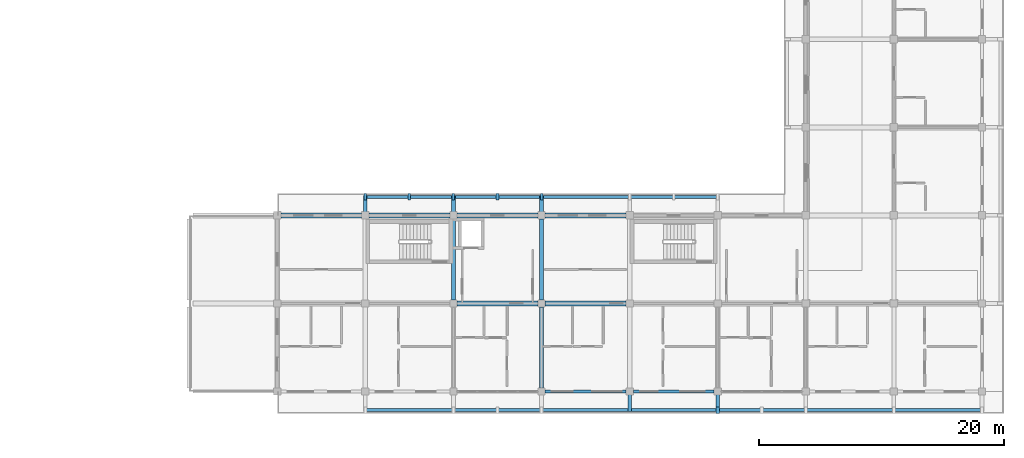
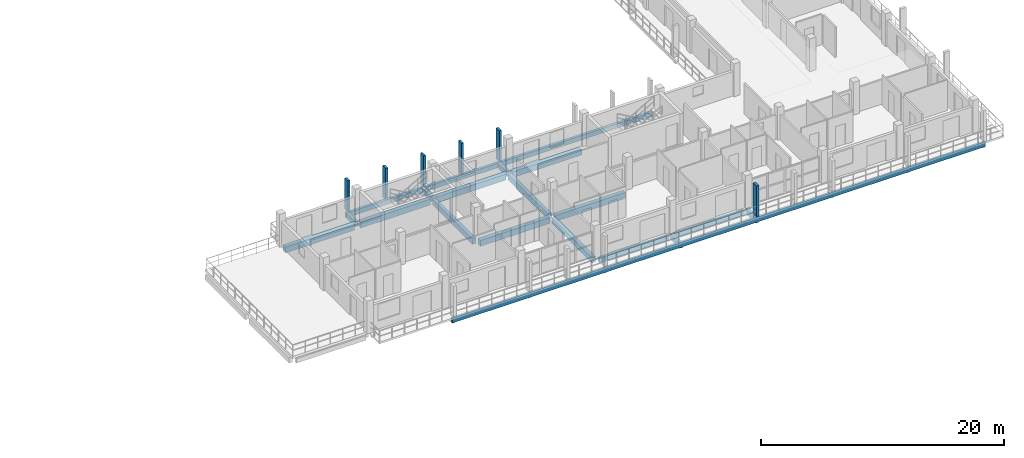
# One storey, part 24 of 75: 18 beams, 6 members.
"""IFC4 building model written with IfcOpenShell, lengths in metres."""

from ifc_helpers import new_model, si_unit, direction, frame, origin, origin_2d, place, context, subcontext, project, spatial, rectangle, extrude, material, material_profile, profile_set, type_object, element, save


model = new_model("IFC4")

# Units and contexts
model_context = context("Model", 3, precision=1e-05, world=origin(), true_north=direction((0.0, 1.0)))
body_context = subcontext(model_context, "Body", "Model", "MODEL_VIEW")
ifc_project = project(units=[si_unit("LENGTHUNIT", "METRE"), si_unit("AREAUNIT", "SQUARE_METRE"), si_unit("VOLUMEUNIT", "CUBIC_METRE"), si_unit("PLANEANGLEUNIT", "RADIAN"), si_unit("MASSUNIT", "GRAM", prefix="KILO")], contexts=[model_context])

# Site, building, storey
site_placement = place(None, origin())
site = spatial("IfcSite", under=ifc_project, at=site_placement, CompositionType="ELEMENT")
building_placement = place(site_placement, origin())
building = spatial("IfcBuilding", under=site, at=building_placement, Name="Suanplinth Sawtooth Commons", CompositionType="ELEMENT")
storey_placement = place(building_placement, frame((0.0, 0.0, 18.60009765625)))
storey = spatial("IfcBuildingStorey", under=building, at=storey_placement, Name="L05", CompositionType="ELEMENT", Elevation=18.60009765625)

# Beams
ifc_material_1 = material(Name="Precast concrete C40/50", Category="concrete")
ifc_material_profile_1 = material_profile(ifc_material_1, rectangle(XDim=0.39990234375, YDim=0.60009765625, at=origin_2d()), Name="PC-GDR 400x600")
ifc_profile_set_1 = profile_set([ifc_material_profile_1], Name="Precast concrete C40/50")
beam_type_1 = type_object("IfcBeamType", Name="B-05", PredefinedType="USERDEFINED", material=ifc_profile_set_1)
beam_1_placement = place(storey_placement, frame((129.89990234375, 14.39990234375, -0.550048828125), z_axis=(1.0, 0.0, 0.0), x_axis=(0.0, 1.0, 0.0)))
element("IfcBeam", 1, at=beam_1_placement, inside=storey, type_object=beam_type_1, Name="BMX-L05-C-18-2", ObjectType="GIRDER", PredefinedType="USERDEFINED", context=body_context, shape_type="SweptSolid", body=[
    extrude(rectangle(XDim=0.39990234375, YDim=0.60009765625, at=origin_2d()), origin(), (0.0, 0.0, 1.0), 6.60009765625),
])
for number, where, z_axis, x_axis, name in (
    (2, (137.10009765625, 14.39990234375, -0.550048828125), (1.0, 0.0, 0.0), (0.0, 1.0, 0.0), "BMX-L05-C-19-2"),
    (3, (144.300048828125, 7.199951171875, -0.550048828125), (1.0, 0.0, 0.0), (0.0, 1.0, 0.0), "BMX-L05-C-20-1"),
    (4, (144.300048828125, 14.39990234375, -0.550048828125), (1.0, 0.0, 0.0), (0.0, 1.0, 0.0), "BMX-L05-C-20-2"),
):
    element("IfcBeam", number, at=place(storey_placement, frame(where, z_axis=z_axis, x_axis=x_axis)), inside=storey, type_object=beam_type_1, Name=name, ObjectType="GIRDER", PredefinedType="USERDEFINED", context=body_context, shape_type="SweptSolid", body=[
        extrude(rectangle(XDim=0.39990234375, YDim=0.60009765625, at=origin_2d()), origin(), (0.0, 0.0, 1.0), 6.599853515625),
    ])
for number, where, z_axis, x_axis, name in (
    (5, (151.5, 7.199951171875, -0.550048828125), (1.0, 0.0, 0.0), (0.0, 1.0, 0.0), "BMX-L05-C-21-1"),
    (6, (151.5, 14.39990234375, -0.550048828125), (1.0, 0.0, 0.0), (0.0, 1.0, 0.0), "BMX-L05-C-21-2"),
):
    element("IfcBeam", number, at=place(storey_placement, frame(where, z_axis=z_axis, x_axis=x_axis)), inside=storey, type_object=beam_type_1, Name=name, ObjectType="GIRDER", PredefinedType="USERDEFINED", context=body_context, shape_type="SweptSolid", body=[
        extrude(rectangle(XDim=0.39990234375, YDim=0.60009765625, at=origin_2d()), origin(), (0.0, 0.0, 1.0), 6.60009765625),
    ])
ifc_material_profile_2 = material_profile(ifc_material_1, rectangle(XDim=0.35009765625, YDim=0.550048828125, at=origin_2d()), Name="PC-BM 350x550")
ifc_profile_set_2 = profile_set([ifc_material_profile_2], Name="Precast concrete C40/50")
beam_type_2 = type_object("IfcBeamType", Name="B-06", PredefinedType="BEAM", material=ifc_profile_set_2)
beam_2_placement = place(storey_placement, frame((144.0, 7.5, -0.525146484375), z_axis=(0.0, 1.0, 0.0), x_axis=(-1.0, 0.0, 0.0)))
element("IfcBeam", 7, at=beam_2_placement, inside=storey, type_object=beam_type_2, Name="BMY-L05-C-20-1", PredefinedType="BEAM", context=body_context, shape_type="SweptSolid", body=[
    extrude(rectangle(XDim=0.35009765625, YDim=0.550048828125, at=origin_2d()), origin(), (0.0, 0.0, 1.0), 6.60009765625),
])
beam_3_placement = place(storey_placement, frame((151.199951171875, 0.300048828125, -0.525146484375), z_axis=(0.0, 1.0, 0.0), x_axis=(-1.0, 0.0, 0.0)))
element("IfcBeam", 8, at=beam_3_placement, inside=storey, type_object=beam_type_2, Name="BMY-L05-C-21-0", PredefinedType="BEAM", context=body_context, shape_type="SweptSolid", body=[
    extrude(rectangle(XDim=0.35009765625, YDim=0.550048828125, at=origin_2d()), origin(), (0.0, 0.0, 1.0), 6.599853515625),
])
beam_4_placement = place(storey_placement, frame((151.199951171875, 7.5, -0.525146484375), z_axis=(0.0, 1.0, 0.0), x_axis=(-1.0, 0.0, 0.0)))
element("IfcBeam", 9, at=beam_4_placement, inside=storey, type_object=beam_type_2, Name="BMY-L05-C-21-1", PredefinedType="BEAM", context=body_context, shape_type="SweptSolid", body=[
    extrude(rectangle(XDim=0.35009765625, YDim=0.550048828125, at=origin_2d()), origin(), (0.0, 0.0, 1.0), 6.60009765625),
])
ifc_material_profile_3 = material_profile(ifc_material_1, rectangle(XDim=0.300048828125, YDim=0.5, at=origin_2d()), Name="PC-BM 300x500")
ifc_profile_set_3 = profile_set([ifc_material_profile_3], Name="Precast concrete C40/50")
beam_type_3 = type_object("IfcBeamType", Name="B-07", PredefinedType="BEAM", material=ifc_profile_set_3)
for number, where, z_axis, x_axis, name in (
    (10, (158.39990234375, 0.0, -0.43017578125), (0.0, -1.0, 0.0), (1.0, 0.0, 0.0), "Balcony Outrigger L05-C-S-22"),
    (11, (165.60009765625, 0.0, -0.43017578125), (0.0, -1.0, 0.0), (1.0, 0.0, 0.0), "Balcony Outrigger L05-C-S-23"),
):
    element("IfcBeam", number, at=place(storey_placement, frame(where, z_axis=z_axis, x_axis=x_axis)), inside=storey, type_object=beam_type_3, Name=name, PredefinedType="BEAM", context=body_context, shape_type="SweptSolid", body=[
        extrude(rectangle(XDim=0.300048828125, YDim=0.5, at=origin_2d()), origin(), (0.0, 0.0, 1.0), 1.639892578125),
    ])
for number, where, z_axis, x_axis, name in (
    (12, (136.800048828125, 14.39990234375, -0.425048828125), (0.0, 1.0, 0.0), (-1.0, 0.0, 0.0), "Balcony Outrigger L05-C-NC-19"),
    (13, (144.0, 14.39990234375, -0.425048828125), (0.0, 1.0, 0.0), (-1.0, 0.0, 0.0), "Balcony Outrigger L05-C-NC-20"),
    (14, (151.199951171875, 14.39990234375, -0.425048828125), (0.0, 1.0, 0.0), (-1.0, 0.0, 0.0), "Balcony Outrigger L05-C-NC-21"),
):
    element("IfcBeam", number, at=place(storey_placement, frame(where, z_axis=z_axis, x_axis=x_axis)), inside=storey, type_object=beam_type_3, Name=name, PredefinedType="BEAM", context=body_context, shape_type="SweptSolid", body=[
        extrude(rectangle(XDim=0.300048828125, YDim=0.5, at=origin_2d()), origin(), (0.0, 0.0, 1.0), 1.64013671875),
    ])
ifc_material_profile_4 = material_profile(ifc_material_1, rectangle(XDim=0.25, YDim=0.449951171875, at=origin_2d()), Name="PC-SP 250x450")
ifc_profile_set_4 = profile_set([ifc_material_profile_4], Name="Precast concrete C40/50")
beam_type_4 = type_object("IfcBeamType", Name="B-09", PredefinedType="SPANDREL", material=ifc_profile_set_4)
for number, where, z_axis, x_axis, name in (
    (15, (151.5, 0.0, -0.47509765625), (1.0, 0.0, 0.0), (0.0, 1.0, 0.0), "BMX-L05-C-21-0"),
    (16, (158.699951171875, 0.0, -0.47509765625), (1.0, 0.0, 0.0), (0.0, 1.0, 0.0), "BMX-L05-C-22-0"),
):
    element("IfcBeam", number, at=place(storey_placement, frame(where, z_axis=z_axis, x_axis=x_axis)), inside=storey, type_object=beam_type_4, Name=name, PredefinedType="SPANDREL", context=body_context, shape_type="SweptSolid", body=[
        extrude(rectangle(XDim=0.25, YDim=0.449951171875, at=origin_2d()), origin(), (0.0, 0.0, 1.0), 6.60009765625),
    ])
beam_5_placement = place(storey_placement, frame((136.64990234375, -1.52001953125, -0.405029296875), z_axis=(1.0, 0.0, 0.0), x_axis=(0.0, 1.0, 0.0)))
element("IfcBeam", 17, at=beam_5_placement, inside=storey, type_object=beam_type_4, Name="Balcony Edge Fascia L05-C-S", PredefinedType="SPANDREL", context=body_context, shape_type="SweptSolid", body=[
    extrude(rectangle(XDim=0.25, YDim=0.449951171875, at=origin_2d()), origin(), (0.0, 0.0, 1.0), 50.7001953125),
])
beam_6_placement = place(storey_placement, frame((136.64990234375, 15.919921875, -0.400146484375), z_axis=(1.0, 0.0, 0.0), x_axis=(0.0, 1.0, 0.0)))
element("IfcBeam", 18, at=beam_6_placement, inside=storey, type_object=beam_type_4, Name="Balcony Edge Fascia L05-C-NC", PredefinedType="SPANDREL", context=body_context, shape_type="SweptSolid", body=[
    extrude(rectangle(XDim=0.25, YDim=0.449951171875, at=origin_2d()), origin(), (0.0, 0.0, 1.0), 29.10009765625),
])

# Members
ifc_material_2 = material(Name="Pigmented precast concrete C40/50", Category="concrete")
ifc_material_profile_5 = material_profile(ifc_material_2, rectangle(XDim=0.25, YDim=0.5400390625, at=origin_2d()), Name="PC-FIN 250x540")
ifc_profile_set_5 = profile_set([ifc_material_profile_5], Name="Pigmented precast concrete C40/50")
member_type_1 = type_object("IfcMemberType", Name="M-11", PredefinedType="USERDEFINED", material=ifc_profile_set_5)
member_placement = place(storey_placement, frame((165.60009765625, -1.52001953125, 0.0), z_axis=(0.0, 0.0, 1.0), x_axis=(1.0, 0.0, 0.0)))
element("IfcMember", 19, at=member_placement, inside=storey, type_object=member_type_1, Name="Upright Solar Blade L05-C-S-05", ObjectType="SHADING FIN", PredefinedType="USERDEFINED", context=body_context, shape_type="SweptSolid", body=[
    extrude(rectangle(XDim=0.25, YDim=0.5400390625, at=origin_2d()), origin(), (0.0, 0.0, 1.0), 3.1298828125),
])
ifc_material_profile_6 = material_profile(ifc_material_2, rectangle(XDim=0.2099609375, YDim=0.52001953125, at=origin_2d()), Name="PC-FIN 210x520")
ifc_profile_set_6 = profile_set([ifc_material_profile_6], Name="Pigmented precast concrete C40/50")
member_type_2 = type_object("IfcMemberType", Name="M-12", PredefinedType="USERDEFINED", material=ifc_profile_set_6)
for number, where, z_axis, x_axis, name in (
    (20, (136.800048828125, 15.919921875, 0.0), (0.0, 0.0, 1.0), (1.0, 0.0, 0.0), "Upright Solar Blade L05-C-NC-14"),
    (21, (140.39990234375, 15.919921875, 0.0), (0.0, 0.0, 1.0), (1.0, 0.0, 0.0), "Upright Solar Blade L05-C-NC-15"),
    (22, (144.0, 15.919921875, 0.0), (0.0, 0.0, 1.0), (1.0, 0.0, 0.0), "Upright Solar Blade L05-C-NC-16"),
    (23, (147.60009765625, 15.919921875, 0.0), (0.0, 0.0, 1.0), (1.0, 0.0, 0.0), "Upright Solar Blade L05-C-NC-17"),
    (24, (151.199951171875, 15.919921875, 0.0), (0.0, 0.0, 1.0), (1.0, 0.0, 0.0), "Upright Solar Blade L05-C-NC-18"),
):
    element("IfcMember", number, at=place(storey_placement, frame(where, z_axis=z_axis, x_axis=x_axis)), inside=storey, type_object=member_type_2, Name=name, ObjectType="SHADING FIN", PredefinedType="USERDEFINED", context=body_context, shape_type="SweptSolid", body=[
        extrude(rectangle(XDim=0.2099609375, YDim=0.52001953125, at=origin_2d()), origin(), (0.0, 0.0, 1.0), 3.1298828125),
    ])

save(model, "model.ifc")
